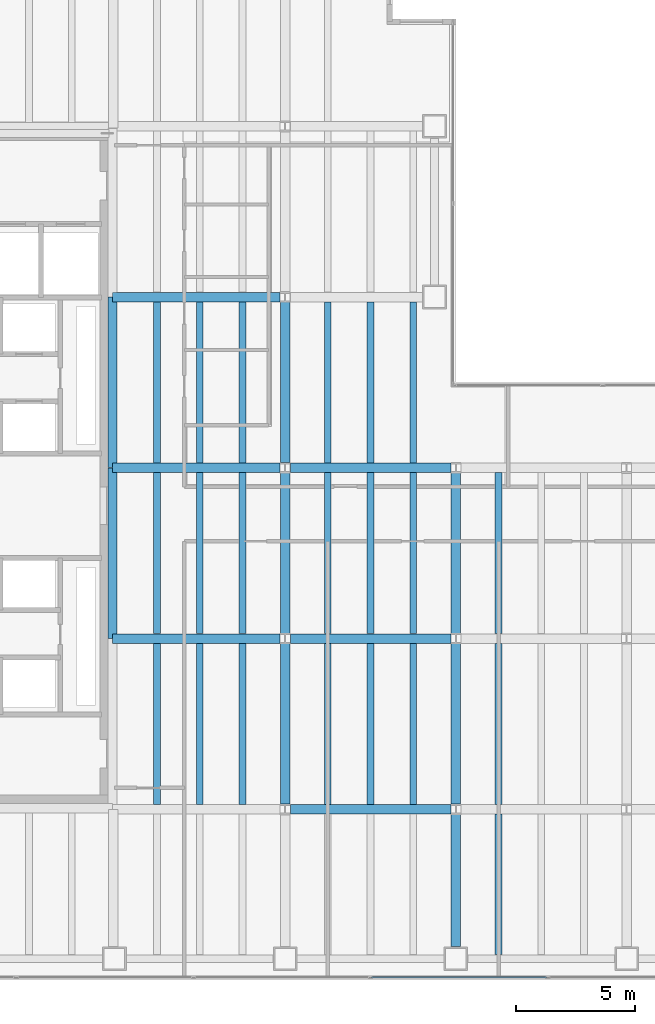
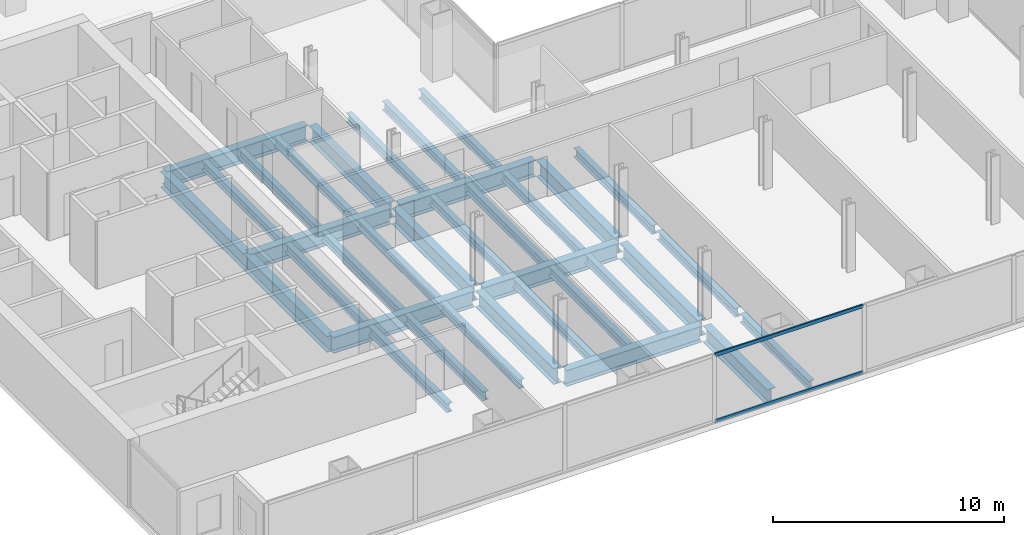
# One storey, part 5 of 23: 35 beams, 2 members, 1 element without a shape of its own.
"""IFC4 building model written with IfcOpenShell, lengths in metres."""

import ifcopenshell
import ifcopenshell.guid

model = None  # the IFC model being written
_history = None  # IfcOwnerHistory: only IFC2X3 demands one
_inside = {}  # id of a spatial element -> (the spatial element, [elements in it])
_under = {}  # id of a project, library or spatial element -> (it, [spatial elements below it])
_declared = {}  # id of a project -> (the project, [libraries it declares])
_typed = {}  # id of a type object -> (the type object, [elements of that type])
_made_of = {}  # id of a material, layer set ... -> (it, [elements and type objects made of it])


def new_model(schema):
    """Start an empty IFC model of exactly this schema.

    Asked for "IFC4X3", IfcOpenShell would pick the latest addendum, in which some entities
    have other attributes; the version numbers below select the first issue.
    IFC2X3 requires an IfcOwnerHistory on every rooted entity: one is made here for all.
    """
    global model, _history
    if schema == "IFC4X3":
        model = ifcopenshell.file(schema_version=(4, 3, 0, 0))
    else:
        model = ifcopenshell.file(schema=schema)
    _inside.clear()
    _under.clear()
    _declared.clear()
    _typed.clear()
    _made_of.clear()
    _history = None
    if model.schema == "IFC2X3":
        org = make("IfcOrganization", Name="unknown")
        user = make(
            "IfcPersonAndOrganization",
            ThePerson=make("IfcPerson", FamilyName="unknown"),
            TheOrganization=org,
        )
        app = make(
            "IfcApplication",
            ApplicationDeveloper=org,
            Version="unknown",
            ApplicationFullName="unknown",
            ApplicationIdentifier="unknown",
        )
        _history = make(
            "IfcOwnerHistory",
            OwningUser=user,
            OwningApplication=app,
            ChangeAction="ADDED",
            CreationDate=0,
        )
    return model


def make(cls, **values):
    """One entity of the class cls with the attributes given. An attribute that is None is left unset."""
    return model.create_entity(
        cls, **{name: value for name, value in values.items() if value is not None}
    )


def rooted(cls, **values):
    """An entity with a GlobalId (a new one), such as an element, a storey or a relation."""
    return make(cls, GlobalId=ifcopenshell.guid.new(), OwnerHistory=_history, **values)


def si_unit(unit_type, name, prefix=None):
    """IfcSIUnit, for example si_unit("LENGTHUNIT", "METRE", prefix="MILLI")."""
    return make("IfcSIUnit", UnitType=unit_type, Prefix=prefix, Name=name)


def assignment(units):
    """IfcUnitAssignment: the units of a project."""
    return None if units is None else make("IfcUnitAssignment", Units=units)


def point(xyz):
    """IfcCartesianPoint."""
    return None if xyz is None else make("IfcCartesianPoint", Coordinates=xyz)


def direction(xyz):
    """IfcDirection."""
    return None if xyz is None else make("IfcDirection", DirectionRatios=xyz)


def frame(location, z_axis=None, x_axis=None):
    """IfcAxis2Placement3D, a coordinate frame: its origin and axes. An axis left out is left unset."""
    return make(
        "IfcAxis2Placement3D",
        Location=point(location),
        Axis=direction(z_axis),
        RefDirection=direction(x_axis),
    )


def frame_2d(location, x_axis=None):
    """IfcAxis2Placement2D, a coordinate frame in the plane: its origin and x axis."""
    return make(
        "IfcAxis2Placement2D", Location=point(location), RefDirection=direction(x_axis)
    )


def origin():
    """The frame at (0, 0, 0) with its axes left unset."""
    return frame((0.0, 0.0, 0.0))


def origin_2d():
    """The frame at (0, 0) in the plane with its x axis left unset."""
    return frame_2d((0.0, 0.0))


def place(relative_to, where):
    """IfcLocalPlacement: puts the frame where relative to a parent placement (None: the world)."""
    return make(
        "IfcLocalPlacement", PlacementRelTo=relative_to, RelativePlacement=where
    )


def context(
    kind, dimensions, precision=None, world=None, true_north=None, identifier=None
):
    """IfcGeometricRepresentationContext, for example the 3D "Model" context."""
    return make(
        "IfcGeometricRepresentationContext",
        ContextIdentifier=identifier,
        ContextType=kind,
        CoordinateSpaceDimension=dimensions,
        Precision=precision,
        WorldCoordinateSystem=world,
        TrueNorth=true_north,
    )


def subcontext(parent, identifier, kind, view, scale=None):
    """IfcGeometricRepresentationSubContext, for example "Body" below "Model"."""
    return make(
        "IfcGeometricRepresentationSubContext",
        ContextIdentifier=identifier,
        ContextType=kind,
        ParentContext=parent,
        TargetScale=scale,
        TargetView=view,
    )


def project(units=None, contexts=None):
    """IfcProject with its units and contexts."""
    return rooted(
        "IfcProject",
        Name="project",
        RepresentationContexts=contexts,
        UnitsInContext=assignment(units),
    )


def spatial(cls, under=None, at=None, **own):
    """A site, building, storey or space (cls), placed at a placement, below another one or the project."""
    s = rooted(cls, ObjectPlacement=at, **own)
    if under is not None:
        _under.setdefault(under.id(), (under, []))[1].append(s)
    return s


def profile(cls, at=None, kind="AREA", **sizes):
    """A parametric profile (cls). Its sizes go by their IFC names, for example OverallWidth=200.0."""
    return make(cls, ProfileType=kind, Position=at, **sizes)


def hollow_rectangle(**sizes):
    """IfcRectangleHollowProfileDef."""
    return profile("IfcRectangleHollowProfileDef", **sizes)


def i_section(**sizes):
    """IfcIShapeProfileDef."""
    return profile("IfcIShapeProfileDef", **sizes)


def extrude(swept, where, along, depth):
    """IfcExtrudedAreaSolid: the profile swept, set in the frame where, extruded along a direction by depth."""
    return make(
        "IfcExtrudedAreaSolid",
        SweptArea=swept,
        Position=where,
        ExtrudedDirection=direction(along),
        Depth=depth,
    )


def shape(context_of_items, identifier, shape_type, items):
    """IfcShapeRepresentation: the items that make up one representation, for example the "Body"."""
    return make(
        "IfcShapeRepresentation",
        ContextOfItems=context_of_items,
        RepresentationIdentifier=identifier,
        RepresentationType=shape_type,
        Items=items,
    )


def material(Name=None, Category=None):
    """IfcMaterial."""
    return make("IfcMaterial", Name=Name, Category=Category)


def material_profile(
    of_material, cross_section, Name=None, Category=None, Priority=None
):
    """IfcMaterialProfile: a cross section and its material."""
    return make(
        "IfcMaterialProfile",
        Name=Name,
        Material=of_material,
        Profile=cross_section,
        Priority=Priority,
        Category=Category,
    )


def profile_set(profiles, Name=None, composite=None):
    """IfcMaterialProfileSet."""
    return make(
        "IfcMaterialProfileSet",
        Name=Name,
        MaterialProfiles=profiles,
        CompositeProfile=composite,
    )


def made_of(thing, what):
    """Note that an element or type object is made of a material, layer set ...; save() writes the relation."""
    if what is not None:
        _made_of.setdefault(what.id(), (what, []))[1].append(thing)
    return thing


def type_object(cls, material=None, **own):
    """A type object (cls), such as IfcWallType, which elements share."""
    return made_of(rooted(cls, **own), material)


def element(
    cls,
    number,
    at=None,
    inside=None,
    cuts=None,
    type_object=None,
    material=None,
    context=None,
    identifier="Body",
    shape_type=None,
    held_by="IfcProductDefinitionShape",
    body=None,
    shapes=None,
    **own,
):
    """One element of the class cls, such as IfcWall. Its Tag is "e" and its number.

    at: its placement. inside: the storey or other place that contains it. cuts: it is an
    opening in that element (IfcRelVoidsElement). A single representation is given by context,
    identifier, shape_type and body (its items); several are given by shapes. held_by: the class
    of the entity that holds the representations. save() writes the other relations.
    """
    e = rooted(cls, Tag="e%d" % number, ObjectPlacement=at, **own)
    if body is not None:
        shapes = [shape(context, identifier, shape_type, body)]
    if shapes is not None:
        e.Representation = make(held_by, Representations=shapes)
    if inside is not None:
        _inside.setdefault(inside.id(), (inside, []))[1].append(e)
    if cuts is not None:
        rooted(
            "IfcRelVoidsElement", RelatingBuildingElement=cuts, RelatedOpeningElement=e
        )
    if type_object is not None:
        _typed.setdefault(type_object.id(), (type_object, []))[1].append(e)
    return made_of(e, material)


def aggregate(whole, parts):
    """IfcRelAggregates: a whole, such as a stair, and the parts it consists of."""
    return rooted("IfcRelAggregates", RelatingObject=whole, RelatedObjects=parts)


def save(model, path):
    """Write the relations noted so far, then the file.

    IfcRelAggregates (storeys below a building ...), IfcRelContainedInSpatialStructure (elements
    in a storey), IfcRelDefinesByType, IfcRelAssociatesMaterial and IfcRelDeclares: one each for
    every whole, place, type object, material and project.
    """
    for whole, parts in _under.values():
        aggregate(whole, parts)
    for where, things in _inside.values():
        rooted(
            "IfcRelContainedInSpatialStructure",
            RelatedElements=things,
            RelatingStructure=where,
        )
    for kind, things in _typed.values():
        rooted("IfcRelDefinesByType", RelatedObjects=things, RelatingType=kind)
    for what, things in _made_of.values():
        rooted("IfcRelAssociatesMaterial", RelatedObjects=things, RelatingMaterial=what)
    for by, libraries in _declared.values():
        rooted("IfcRelDeclares", RelatingContext=by, RelatedDefinitions=libraries)
    model.write(path)


model = new_model("IFC4")

# Units and contexts
model_context = context("Model", 3, precision=1e-05, world=origin(), true_north=direction((0.0, 1.0)))
body_context = subcontext(model_context, "Body", "Model", "MODEL_VIEW")
ifc_project = project(units=[si_unit("LENGTHUNIT", "METRE"), si_unit("AREAUNIT", "SQUARE_METRE"), si_unit("VOLUMEUNIT", "CUBIC_METRE"), si_unit("PLANEANGLEUNIT", "RADIAN"), si_unit("MASSUNIT", "GRAM", prefix="KILO")], contexts=[model_context])

# Site, building, storey
site_placement = place(None, origin())
site = spatial("IfcSite", under=ifc_project, at=site_placement, CompositionType="ELEMENT")
building_placement = place(site_placement, origin())
building = spatial("IfcBuilding", under=site, at=building_placement, Name="Cobrela Telecom Tower", CompositionType="ELEMENT")
storey_placement = place(building_placement, frame((0.0, 0.0, 50.39990234375)))
storey = spatial("IfcBuildingStorey", under=building, at=storey_placement, Name="L12", CompositionType="ELEMENT", Elevation=50.39990234375)

# Beams
ifc_material_1 = material(Name="Steel ASTM A992 Grade 50", Category="steel")
ifc_material_profile_1 = material_profile(ifc_material_1, i_section(OverallWidth=0.39892578125, OverallDepth=0.85595703125, WebThickness=0.018310546875, FlangeThickness=0.029296875, FilletRadius=0.02001953125, at=origin_2d()), Name="W33X201")
ifc_profile_set_1 = profile_set([ifc_material_profile_1], Name="Steel ASTM A992 Grade 50")
beam_type_1 = type_object("IfcBeamType", Name="BM-GIRD-03", PredefinedType="USERDEFINED", material=ifc_profile_set_1)
beam_1_placement = place(storey_placement, frame((21.81591796875, 7.199951171875, -0.7080078125), z_axis=(1.0, 0.0, 0.0), x_axis=(0.0, 1.0, 0.0)))
element("IfcBeam", 1, at=beam_1_placement, inside=storey, type_object=beam_type_1, Name="L12 Primary Girder X09", ObjectType="GIRDER", PredefinedType="USERDEFINED", context=body_context, shape_type="SweptSolid", body=[
    extrude(i_section(OverallWidth=0.39892578125, OverallDepth=0.85595703125, WebThickness=0.018310546875, FlangeThickness=0.029296875, FilletRadius=0.02001953125, at=origin_2d()), origin(), (0.0, 0.0, 1.0), 6.76806640625),
])
beam_2_placement = place(storey_placement, frame((14.324951171875, 14.39990234375, -0.7080078125), z_axis=(1.0, 0.0, 0.0), x_axis=(0.0, 1.0, 0.0)))
element("IfcBeam", 2, at=beam_2_placement, inside=storey, type_object=beam_type_1, Name="L12 Primary Girder X13", ObjectType="GIRDER", PredefinedType="USERDEFINED", context=body_context, shape_type="SweptSolid", body=[
    extrude(i_section(OverallWidth=0.39892578125, OverallDepth=0.85595703125, WebThickness=0.018310546875, FlangeThickness=0.029296875, FilletRadius=0.02001953125, at=origin_2d()), origin(), (0.0, 0.0, 1.0), 7.05908203125),
])
beam_3_placement = place(storey_placement, frame((21.81591796875, 14.39990234375, -0.7080078125), z_axis=(1.0, 0.0, 0.0), x_axis=(0.0, 1.0, 0.0)))
element("IfcBeam", 3, at=beam_3_placement, inside=storey, type_object=beam_type_1, Name="L12 Primary Girder X14", ObjectType="GIRDER", PredefinedType="USERDEFINED", context=body_context, shape_type="SweptSolid", body=[
    extrude(i_section(OverallWidth=0.39892578125, OverallDepth=0.85595703125, WebThickness=0.018310546875, FlangeThickness=0.029296875, FilletRadius=0.02001953125, at=origin_2d()), origin(), (0.0, 0.0, 1.0), 6.76806640625),
])
beam_4_placement = place(storey_placement, frame((14.324951171875, 21.60009765625, -0.7080078125), z_axis=(1.0, 0.0, 0.0), x_axis=(0.0, 1.0, 0.0)))
element("IfcBeam", 4, at=beam_4_placement, inside=storey, type_object=beam_type_1, Name="L12 Primary Girder X18", ObjectType="GIRDER", PredefinedType="USERDEFINED", context=body_context, shape_type="SweptSolid", body=[
    extrude(i_section(OverallWidth=0.39892578125, OverallDepth=0.85595703125, WebThickness=0.018310546875, FlangeThickness=0.029296875, FilletRadius=0.02001953125, at=origin_2d()), origin(), (0.0, 0.0, 1.0), 7.05908203125),
])
beam_5_placement = place(storey_placement, frame((21.81591796875, 21.60009765625, -0.7080078125), z_axis=(1.0, 0.0, 0.0), x_axis=(0.0, 1.0, 0.0)))
element("IfcBeam", 5, at=beam_5_placement, inside=storey, type_object=beam_type_1, Name="L12 Primary Girder X19", ObjectType="GIRDER", PredefinedType="USERDEFINED", context=body_context, shape_type="SweptSolid", body=[
    extrude(i_section(OverallWidth=0.39892578125, OverallDepth=0.85595703125, WebThickness=0.018310546875, FlangeThickness=0.029296875, FilletRadius=0.02001953125, at=origin_2d()), origin(), (0.0, 0.0, 1.0), 6.76806640625),
])
beam_6_placement = place(storey_placement, frame((14.324951171875, 28.800048828125, -0.7080078125), z_axis=(1.0, 0.0, 0.0), x_axis=(0.0, 1.0, 0.0)))
element("IfcBeam", 6, at=beam_6_placement, inside=storey, type_object=beam_type_1, Name="L12 Primary Girder X23", ObjectType="GIRDER", PredefinedType="USERDEFINED", context=body_context, shape_type="SweptSolid", body=[
    extrude(i_section(OverallWidth=0.39892578125, OverallDepth=0.85595703125, WebThickness=0.018310546875, FlangeThickness=0.029296875, FilletRadius=0.02001953125, at=origin_2d()), origin(), (0.0, 0.0, 1.0), 7.05908203125),
])
for number, where, z_axis, x_axis, name in (
    (7, (14.320068359375, 14.405029296875, -0.7080078125), (0.0, 1.0, 0.0), (-1.0, 0.0, 0.0), "L12 Primary Girder Y36"),
    (8, (14.320068359375, 21.60498046875, -0.7080078125), (0.0, 1.0, 0.0), (-1.0, 0.0, 0.0), "L12 Primary Girder Y37"),
):
    element("IfcBeam", number, at=place(storey_placement, frame(where, z_axis=z_axis, x_axis=x_axis)), inside=storey, type_object=beam_type_1, Name=name, ObjectType="GIRDER", PredefinedType="USERDEFINED", context=body_context, shape_type="SweptSolid", body=[
        extrude(i_section(OverallWidth=0.39892578125, OverallDepth=0.85595703125, WebThickness=0.018310546875, FlangeThickness=0.029296875, FilletRadius=0.02001953125, at=origin_2d()), origin(), (0.0, 0.0, 1.0), 7.18994140625),
    ])
for number, where, z_axis, x_axis, name in (
    (9, (21.60009765625, 7.416015625, -0.7080078125), (0.0, 1.0, 0.0), (-1.0, 0.0, 0.0), "L12 Primary Girder Y41"),
    (10, (21.60009765625, 14.615966796875, -0.7080078125), (0.0, 1.0, 0.0), (-1.0, 0.0, 0.0), "L12 Primary Girder Y42"),
    (11, (21.60009765625, 21.81591796875, -0.7080078125), (0.0, 1.0, 0.0), (-1.0, 0.0, 0.0), "L12 Primary Girder Y43"),
):
    element("IfcBeam", number, at=place(storey_placement, frame(where, z_axis=z_axis, x_axis=x_axis)), inside=storey, type_object=beam_type_1, Name=name, ObjectType="GIRDER", PredefinedType="USERDEFINED", context=body_context, shape_type="SweptSolid", body=[
        extrude(i_section(OverallWidth=0.39892578125, OverallDepth=0.85595703125, WebThickness=0.018310546875, FlangeThickness=0.029296875, FilletRadius=0.02001953125, at=origin_2d()), origin(), (0.0, 0.0, 1.0), 6.76806640625),
    ])
beam_7_placement = place(storey_placement, frame((28.800048828125, 1.405029296875, -0.7080078125), z_axis=(0.0, 1.0, 0.0), x_axis=(-1.0, 0.0, 0.0)))
element("IfcBeam", 12, at=beam_7_placement, inside=storey, type_object=beam_type_1, Name="L12 Primary Girder Y47", ObjectType="GIRDER", PredefinedType="USERDEFINED", context=body_context, shape_type="SweptSolid", body=[
    extrude(i_section(OverallWidth=0.39892578125, OverallDepth=0.85595703125, WebThickness=0.018310546875, FlangeThickness=0.029296875, FilletRadius=0.02001953125, at=origin_2d()), origin(), (0.0, 0.0, 1.0), 5.578857421875),
])
for number, where, z_axis, x_axis, name in (
    (13, (28.800048828125, 7.416015625, -0.7080078125), (0.0, 1.0, 0.0), (-1.0, 0.0, 0.0), "L12 Primary Girder Y48"),
    (14, (28.800048828125, 14.615966796875, -0.7080078125), (0.0, 1.0, 0.0), (-1.0, 0.0, 0.0), "L12 Primary Girder Y49"),
):
    element("IfcBeam", number, at=place(storey_placement, frame(where, z_axis=z_axis, x_axis=x_axis)), inside=storey, type_object=beam_type_1, Name=name, ObjectType="GIRDER", PredefinedType="USERDEFINED", context=body_context, shape_type="SweptSolid", body=[
        extrude(i_section(OverallWidth=0.39892578125, OverallDepth=0.85595703125, WebThickness=0.018310546875, FlangeThickness=0.029296875, FilletRadius=0.02001953125, at=origin_2d()), origin(), (0.0, 0.0, 1.0), 6.76806640625),
    ])
ifc_material_profile_2 = material_profile(ifc_material_1, i_section(OverallWidth=0.281982421875, OverallDepth=0.467041015625, WebThickness=0.01220703125, FlangeThickness=0.01953125, FilletRadius=0.012939453125, at=origin_2d()), Name="W18X86")
ifc_profile_set_2 = profile_set([ifc_material_profile_2], Name="Steel ASTM A992 Grade 50")
beam_type_2 = type_object("IfcBeamType", Name="BM-JOIST-02", PredefinedType="JOIST", material=ifc_profile_set_2)
for number, where, z_axis, x_axis, name in (
    (15, (16.199951171875, 7.404541015625, -0.513427734375), (0.0, 1.0, 0.0), (-1.0, 0.0, 0.0), "L12 Secondary Composite Floor Beam J08"),
    (16, (16.199951171875, 14.6044921875, -0.513427734375), (0.0, 1.0, 0.0), (-1.0, 0.0, 0.0), "L12 Secondary Composite Floor Beam J09"),
    (17, (16.199951171875, 21.804443359375, -0.513427734375), (0.0, 1.0, 0.0), (-1.0, 0.0, 0.0), "L12 Secondary Composite Floor Beam J10"),
    (18, (18.0, 7.404541015625, -0.513427734375), (0.0, 1.0, 0.0), (-1.0, 0.0, 0.0), "L12 Secondary Composite Floor Beam J14"),
    (19, (18.0, 14.6044921875, -0.513427734375), (0.0, 1.0, 0.0), (-1.0, 0.0, 0.0), "L12 Secondary Composite Floor Beam J15"),
    (20, (18.0, 21.804443359375, -0.513427734375), (0.0, 1.0, 0.0), (-1.0, 0.0, 0.0), "L12 Secondary Composite Floor Beam J16"),
    (21, (19.800048828125, 7.404541015625, -0.513427734375), (0.0, 1.0, 0.0), (-1.0, 0.0, 0.0), "L12 Secondary Composite Floor Beam J20"),
    (22, (19.800048828125, 14.6044921875, -0.513427734375), (0.0, 1.0, 0.0), (-1.0, 0.0, 0.0), "L12 Secondary Composite Floor Beam J21"),
    (23, (19.800048828125, 21.804443359375, -0.513427734375), (0.0, 1.0, 0.0), (-1.0, 0.0, 0.0), "L12 Secondary Composite Floor Beam J22"),
    (24, (23.39990234375, 7.404541015625, -0.513427734375), (0.0, 1.0, 0.0), (-1.0, 0.0, 0.0), "L12 Secondary Composite Floor Beam J26"),
    (25, (23.39990234375, 14.6044921875, -0.513427734375), (0.0, 1.0, 0.0), (-1.0, 0.0, 0.0), "L12 Secondary Composite Floor Beam J27"),
    (26, (23.39990234375, 21.804443359375, -0.513427734375), (0.0, 1.0, 0.0), (-1.0, 0.0, 0.0), "L12 Secondary Composite Floor Beam J28"),
    (27, (25.199951171875, 7.404541015625, -0.513427734375), (0.0, 1.0, 0.0), (-1.0, 0.0, 0.0), "L12 Secondary Composite Floor Beam J32"),
    (28, (25.199951171875, 14.6044921875, -0.513427734375), (0.0, 1.0, 0.0), (-1.0, 0.0, 0.0), "L12 Secondary Composite Floor Beam J33"),
    (29, (25.199951171875, 21.804443359375, -0.513427734375), (0.0, 1.0, 0.0), (-1.0, 0.0, 0.0), "L12 Secondary Composite Floor Beam J34"),
    (30, (27.0, 7.404541015625, -0.513427734375), (0.0, 1.0, 0.0), (-1.0, 0.0, 0.0), "L12 Secondary Composite Floor Beam J37"),
    (31, (27.0, 14.6044921875, -0.513427734375), (0.0, 1.0, 0.0), (-1.0, 0.0, 0.0), "L12 Secondary Composite Floor Beam J38"),
    (32, (27.0, 21.804443359375, -0.513427734375), (0.0, 1.0, 0.0), (-1.0, 0.0, 0.0), "L12 Secondary Composite Floor Beam J39"),
):
    element("IfcBeam", number, at=place(storey_placement, frame(where, z_axis=z_axis, x_axis=x_axis)), inside=storey, type_object=beam_type_2, Name=name, PredefinedType="JOIST", context=body_context, shape_type="SweptSolid", body=[
        extrude(i_section(OverallWidth=0.281982421875, OverallDepth=0.467041015625, WebThickness=0.01220703125, FlangeThickness=0.01953125, FilletRadius=0.012939453125, at=origin_2d()), origin(), (0.0, 0.0, 1.0), 6.791015625),
    ])
beam_8_placement = place(storey_placement, frame((30.60009765625, 1.0673828125, -0.513427734375), z_axis=(0.0, 1.0, 0.0), x_axis=(-1.0, 0.0, 0.0)))
element("IfcBeam", 33, at=beam_8_placement, inside=storey, type_object=beam_type_2, Name="L12 Secondary Composite Floor Beam J41", PredefinedType="JOIST", context=body_context, shape_type="SweptSolid", body=[
    extrude(i_section(OverallWidth=0.281982421875, OverallDepth=0.467041015625, WebThickness=0.01220703125, FlangeThickness=0.01953125, FilletRadius=0.012939453125, at=origin_2d()), origin(), (0.0, 0.0, 1.0), 5.92822265625),
])
for number, where, z_axis, x_axis, name in (
    (34, (30.60009765625, 7.404541015625, -0.513427734375), (0.0, 1.0, 0.0), (-1.0, 0.0, 0.0), "L12 Secondary Composite Floor Beam J42"),
    (35, (30.60009765625, 14.6044921875, -0.513427734375), (0.0, 1.0, 0.0), (-1.0, 0.0, 0.0), "L12 Secondary Composite Floor Beam J43"),
):
    element("IfcBeam", number, at=place(storey_placement, frame(where, z_axis=z_axis, x_axis=x_axis)), inside=storey, type_object=beam_type_2, Name=name, PredefinedType="JOIST", context=body_context, shape_type="SweptSolid", body=[
        extrude(i_section(OverallWidth=0.281982421875, OverallDepth=0.467041015625, WebThickness=0.01220703125, FlangeThickness=0.01953125, FilletRadius=0.012939453125, at=origin_2d()), origin(), (0.0, 0.0, 1.0), 6.791015625),
    ])

# Curtain wall, members
ifc_material_2 = material(Name="Anodized Bronze Aluminium 6063-T6", Category="aluminium")
curtain_wall_type = type_object("IfcCurtainWallType", Name="CW-SYS-DATA", PredefinedType="USERDEFINED", material=ifc_material_2)
curtain_wall_placement = place(storey_placement, origin())
curtain_wall = element("IfcCurtainWall", 36, at=curtain_wall_placement, inside=storey, type_object=curtain_wall_type, Name="L12 Unitised Bronze Curtain Wall 17", ObjectType="UNITISED CURTAIN WALL", PredefinedType="USERDEFINED")
ifc_material_profile_3 = material_profile(ifc_material_2, hollow_rectangle(XDim=0.074951171875, YDim=0.179931640625, WallThickness=0.00390625, at=origin_2d()), Name="ALU 75x180x4")
ifc_profile_set_3 = profile_set([ifc_material_profile_3], Name="Anodized Bronze Aluminium 6063-T6")
member_type = type_object("IfcMemberType", Name="CW-SYS-DATA-TRN", PredefinedType="USERDEFINED", material=ifc_profile_set_3)
member_1_placement = place(storey_placement, frame((32.6298828125, 0.1201171875, 0.03759765625), z_axis=(-1.0, 0.0, 0.0), x_axis=(0.0, -1.0, 0.0)))
member_1 = element("IfcMember", 37, at=member_1_placement, type_object=member_type, Name="CW-DATA transom 3.1", ObjectType="TRANSOM", PredefinedType="USERDEFINED", context=body_context, shape_type="SweptSolid", body=[
    extrude(hollow_rectangle(XDim=0.074951171875, YDim=0.179931640625, WallThickness=0.00390625, at=origin_2d()), origin(), (0.0, 0.0, 1.0), 7.389892578125),
])
member_2_placement = place(storey_placement, frame((32.6298828125, 0.1201171875, 3.53271484375), z_axis=(-1.0, 0.0, 0.0), x_axis=(0.0, -1.0, 0.0)))
member_2 = element("IfcMember", 38, at=member_2_placement, type_object=member_type, Name="CW-DATA transom 3.2", ObjectType="TRANSOM", PredefinedType="USERDEFINED", context=body_context, shape_type="SweptSolid", body=[
    extrude(hollow_rectangle(XDim=0.074951171875, YDim=0.179931640625, WallThickness=0.00390625, at=origin_2d()), origin(), (0.0, 0.0, 1.0), 7.389892578125),
])
aggregate(curtain_wall, [member_1, member_2])

save(model, "model.ifc")
